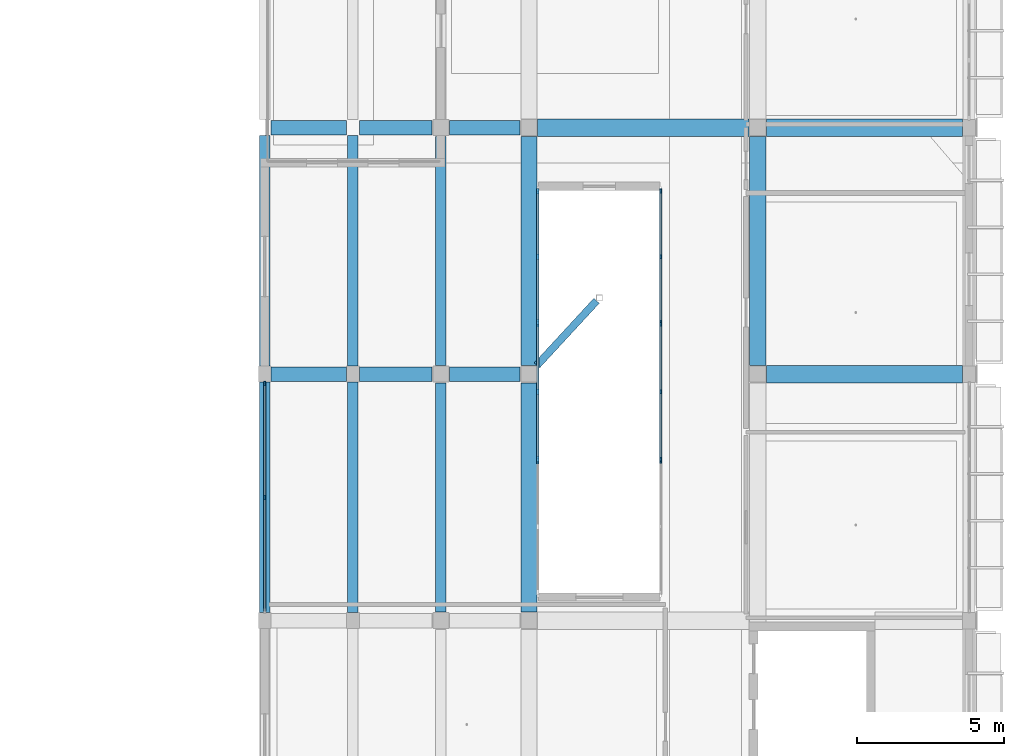
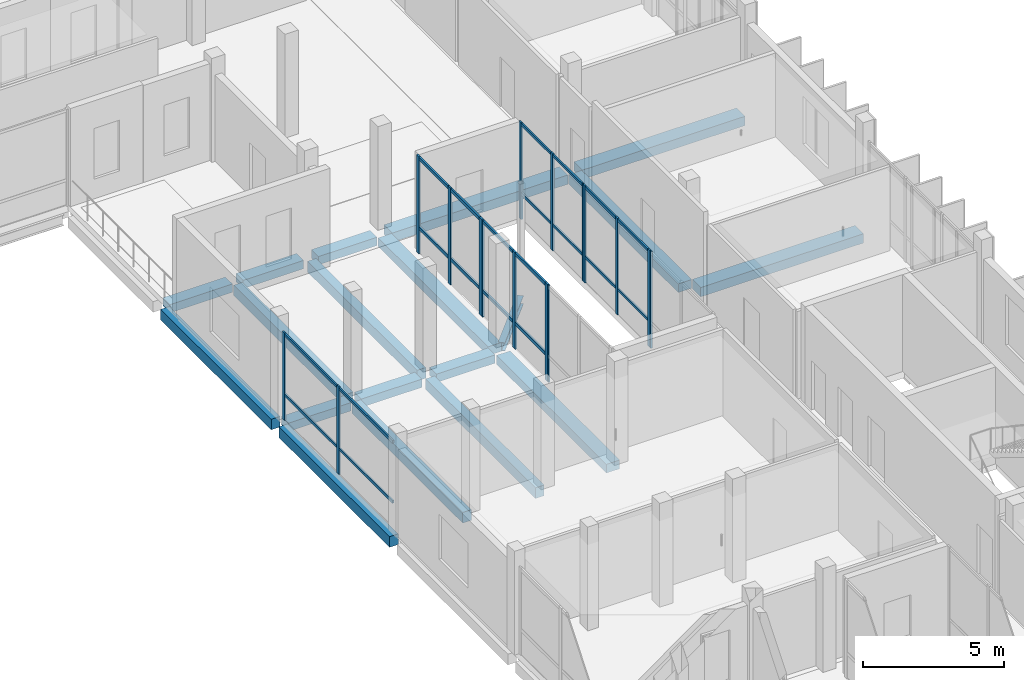
# One storey, part 38 of 95: 26 members, 19 beams, 7 elements without a shape of their own.
"""IFC4 building model written with IfcOpenShell, lengths in metres."""

from ifc_helpers import new_model, si_unit, derived_unit, direction, frame, origin, origin_2d, place, context, subcontext, project, spatial, rectangle, i_section, extrude, material, material_profile, profile_set, type_object, element, aggregate, save


model = new_model("IFC4")

# Units and contexts
model_context = context("Model", 3, precision=1e-05, world=origin(), true_north=direction((0.0, 1.0)))
body_context = subcontext(model_context, "Body", "Model", "MODEL_VIEW")
ifc_project = project(units=[si_unit("LENGTHUNIT", "METRE"), si_unit("AREAUNIT", "SQUARE_METRE"), si_unit("VOLUMEUNIT", "CUBIC_METRE"), si_unit("PLANEANGLEUNIT", "RADIAN"), si_unit("MASSUNIT", "GRAM", prefix="KILO"), derived_unit("THERMALTRANSMITTANCEUNIT", [(si_unit("POWERUNIT", "WATT"), 1), (si_unit("LENGTHUNIT", "METRE"), -2), (si_unit("THERMODYNAMICTEMPERATUREUNIT", "KELVIN"), -1)])], contexts=[model_context])

# Site, building, storey
site_placement = place(None, origin())
site = spatial("IfcSite", under=ifc_project, at=site_placement, CompositionType="ELEMENT")
building_placement = place(site_placement, origin())
building = spatial("IfcBuilding", under=site, at=building_placement, Name="Braskholm Square Health Centre", CompositionType="ELEMENT")
storey_placement = place(building_placement, frame((0.0, 0.0, 4.800048828125)))
storey = spatial("IfcBuildingStorey", under=building, at=storey_placement, Name="L02", CompositionType="ELEMENT", Elevation=4.800048828125)

# Curtain wall, members
ifc_material_1 = material(Name="Low-E triple insulating glass (VLT 0.64)", Category="glass")
curtain_wall_type_1 = type_object("IfcCurtainWallType", Name="UnitisedCurtainWall6200x3800", PredefinedType="NOTDEFINED", material=ifc_material_1)
curtain_wall_1_placement = place(storey_placement, origin())
curtain_wall_1 = element("IfcCurtainWall", 1, at=curtain_wall_1_placement, inside=storey, type_object=curtain_wall_type_1, Name="East Valley unitised curtain wall CW-L02-0120", PredefinedType="NOTDEFINED")
ifc_material_2 = material(Name="Architectural bronze anodised aluminium", Category="aluminium")
ifc_material_profile_1 = material_profile(ifc_material_2, rectangle(XDim=0.06494140625, YDim=0.14990234375, at=origin_2d()), Name="ALU-65X150")
ifc_profile_set_1 = profile_set([ifc_material_profile_1], Name="Architectural bronze anodised aluminium")
member_type_1 = type_object("IfcMemberType", Name="CurtainWallMullion65x150", PredefinedType="MULLION", material=ifc_profile_set_1)
member_1_placement = place(storey_placement, frame((139.800048828125, 71.873046875, 0.0), z_axis=(0.0, 0.0, 1.0), x_axis=(1.0, 0.0, 0.0)))
member_1 = element("IfcMember", 2, at=member_1_placement, type_object=member_type_1, Name="CW-L02-0120 vertical mullion 1", PredefinedType="MULLION", context=body_context, shape_type="SweptSolid", body=[
    extrude(rectangle(XDim=0.06494140625, YDim=0.14990234375, at=origin_2d()), origin(), (0.0, 0.0, 1.0), 3.7900390625),
])
member_2_placement = place(storey_placement, frame((139.800048828125, 68.0, 0.0), z_axis=(0.0, 0.0, 1.0), x_axis=(1.0, 0.0, 0.0)))
member_2 = element("IfcMember", 3, at=member_2_placement, type_object=member_type_1, Name="CW-L02-0120 vertical mullion 2", PredefinedType="MULLION", context=body_context, shape_type="SweptSolid", body=[
    extrude(rectangle(XDim=0.06494140625, YDim=0.14990234375, at=origin_2d()), origin(), (0.0, 0.0, 1.0), 3.7900390625),
])

# Curtain wall, member
curtain_wall_type_2 = type_object("IfcCurtainWallType", Name="UnitisedCurtainWall4800x4100", PredefinedType="NOTDEFINED", material=ifc_material_1)
curtain_wall_2_placement = place(storey_placement, origin())
curtain_wall_2 = element("IfcCurtainWall", 4, at=curtain_wall_2_placement, inside=storey, type_object=curtain_wall_type_2, Name="EC2 Court E unitised curtain wall CW-L02-0358", PredefinedType="NOTDEFINED")
member_3_placement = place(storey_placement, frame((153.300048828125, 69.23486328125, 0.0), z_axis=(0.0, 0.0, 1.0), x_axis=(1.0, 0.0, 0.0)))
member_3 = element("IfcMember", 5, at=member_3_placement, type_object=member_type_1, Name="CW-L02-0358 vertical mullion 1", PredefinedType="MULLION", context=body_context, shape_type="SweptSolid", body=[
    extrude(rectangle(XDim=0.06494140625, YDim=0.14990234375, at=origin_2d()), origin(), (0.0, 0.0, 1.0), 4.199951171875),
])
aggregate(curtain_wall_2, [member_3])

# Curtain wall, members
curtain_wall_3_placement = place(storey_placement, origin())
curtain_wall_3 = element("IfcCurtainWall", 6, at=curtain_wall_3_placement, inside=storey, type_object=curtain_wall_type_2, Name="EC2 Court E unitised curtain wall CW-L02-0360", PredefinedType="NOTDEFINED")
member_4_placement = place(storey_placement, frame((153.300048828125, 73.900146484375, 0.0), z_axis=(0.0, 0.0, 1.0), x_axis=(1.0, 0.0, 0.0)))
member_4 = element("IfcMember", 7, at=member_4_placement, type_object=member_type_1, Name="CW-L02-0360 vertical mullion 1", PredefinedType="MULLION", context=body_context, shape_type="SweptSolid", body=[
    extrude(rectangle(XDim=0.06494140625, YDim=0.14990234375, at=origin_2d()), origin(), (0.0, 0.0, 1.0), 4.199951171875),
])
member_5_placement = place(storey_placement, frame((153.300048828125, 71.60009765625, 0.0), z_axis=(0.0, 0.0, 1.0), x_axis=(1.0, 0.0, 0.0)))
member_5 = element("IfcMember", 8, at=member_5_placement, type_object=member_type_1, Name="CW-L02-0360 vertical mullion 2", PredefinedType="MULLION", context=body_context, shape_type="SweptSolid", body=[
    extrude(rectangle(XDim=0.06494140625, YDim=0.14990234375, at=origin_2d()), origin(), (0.0, 0.0, 1.0), 4.199951171875),
])
member_6_placement = place(storey_placement, frame((153.300048828125, 69.2998046875, 0.0), z_axis=(0.0, 0.0, 1.0), x_axis=(1.0, 0.0, 0.0)))
member_6 = element("IfcMember", 9, at=member_6_placement, type_object=member_type_1, Name="CW-L02-0360 vertical mullion 3", PredefinedType="MULLION", context=body_context, shape_type="SweptSolid", body=[
    extrude(rectangle(XDim=0.06494140625, YDim=0.14990234375, at=origin_2d()), origin(), (0.0, 0.0, 1.0), 4.199951171875),
])

curtain_wall_4_placement = place(storey_placement, origin())
curtain_wall_4 = element("IfcCurtainWall", 10, at=curtain_wall_4_placement, inside=storey, type_object=curtain_wall_type_2, Name="EC2 Court E unitised curtain wall CW-L02-0362", PredefinedType="NOTDEFINED")
member_7_placement = place(storey_placement, frame((153.300048828125, 78.432861328125, 0.0), z_axis=(0.0, 0.0, 1.0), x_axis=(1.0, 0.0, 0.0)))
member_7 = element("IfcMember", 11, at=member_7_placement, type_object=member_type_1, Name="CW-L02-0362 vertical mullion 1", PredefinedType="MULLION", context=body_context, shape_type="SweptSolid", body=[
    extrude(rectangle(XDim=0.06494140625, YDim=0.14990234375, at=origin_2d()), origin(), (0.0, 0.0, 1.0), 4.199951171875),
])
member_8_placement = place(storey_placement, frame((153.300048828125, 76.198974609375, 0.0), z_axis=(0.0, 0.0, 1.0), x_axis=(1.0, 0.0, 0.0)))
member_8 = element("IfcMember", 12, at=member_8_placement, type_object=member_type_1, Name="CW-L02-0362 vertical mullion 2", PredefinedType="MULLION", context=body_context, shape_type="SweptSolid", body=[
    extrude(rectangle(XDim=0.06494140625, YDim=0.14990234375, at=origin_2d()), origin(), (0.0, 0.0, 1.0), 4.199951171875),
])
member_9_placement = place(storey_placement, frame((153.300048828125, 73.965087890625, 0.0), z_axis=(0.0, 0.0, 1.0), x_axis=(1.0, 0.0, 0.0)))
member_9 = element("IfcMember", 13, at=member_9_placement, type_object=member_type_1, Name="CW-L02-0362 vertical mullion 3", PredefinedType="MULLION", context=body_context, shape_type="SweptSolid", body=[
    extrude(rectangle(XDim=0.06494140625, YDim=0.14990234375, at=origin_2d()), origin(), (0.0, 0.0, 1.0), 4.199951171875),
])

# Curtain wall, member
curtain_wall_5_placement = place(storey_placement, origin())
curtain_wall_5 = element("IfcCurtainWall", 14, at=curtain_wall_5_placement, inside=storey, type_object=curtain_wall_type_2, Name="EC2 Court W unitised curtain wall CW-L02-0357", PredefinedType="NOTDEFINED")
ifc_material_profile_2 = material_profile(ifc_material_2, rectangle(XDim=0.074951171875, YDim=0.179931640625, at=origin_2d()), Name="ALU-75X180")
ifc_profile_set_2 = profile_set([ifc_material_profile_2], Name="Architectural bronze anodised aluminium")
member_type_2 = type_object("IfcMemberType", Name="CurtainWallMullion75x180", PredefinedType="MULLION", material=ifc_profile_set_2)
member_10_placement = place(storey_placement, frame((149.10009765625, 69.23486328125, 0.0), z_axis=(0.0, 0.0, 1.0), x_axis=(1.0, 0.0, 0.0)))
member_10 = element("IfcMember", 15, at=member_10_placement, type_object=member_type_2, Name="CW-L02-0357 vertical mullion 3", PredefinedType="MULLION", context=body_context, shape_type="SweptSolid", body=[
    extrude(rectangle(XDim=0.074951171875, YDim=0.179931640625, at=origin_2d()), origin(), (0.0, 0.0, 1.0), 4.199951171875),
])
aggregate(curtain_wall_5, [member_10])

# Curtain wall, members
curtain_wall_6_placement = place(storey_placement, origin())
curtain_wall_6 = element("IfcCurtainWall", 16, at=curtain_wall_6_placement, inside=storey, type_object=curtain_wall_type_2, Name="EC2 Court W unitised curtain wall CW-L02-0359", PredefinedType="NOTDEFINED")
member_11_placement = place(storey_placement, frame((149.10009765625, 69.2998046875, 0.0), z_axis=(0.0, 0.0, 1.0), x_axis=(1.0, 0.0, 0.0)))
member_11 = element("IfcMember", 17, at=member_11_placement, type_object=member_type_2, Name="CW-L02-0359 vertical mullion 1", PredefinedType="MULLION", context=body_context, shape_type="SweptSolid", body=[
    extrude(rectangle(XDim=0.074951171875, YDim=0.179931640625, at=origin_2d()), origin(), (0.0, 0.0, 1.0), 4.199951171875),
])
member_12_placement = place(storey_placement, frame((149.10009765625, 71.60009765625, 0.0), z_axis=(0.0, 0.0, 1.0), x_axis=(1.0, 0.0, 0.0)))
member_12 = element("IfcMember", 18, at=member_12_placement, type_object=member_type_2, Name="CW-L02-0359 vertical mullion 2", PredefinedType="MULLION", context=body_context, shape_type="SweptSolid", body=[
    extrude(rectangle(XDim=0.074951171875, YDim=0.179931640625, at=origin_2d()), origin(), (0.0, 0.0, 1.0), 4.199951171875),
])
member_13_placement = place(storey_placement, frame((149.10009765625, 73.900146484375, 0.0), z_axis=(0.0, 0.0, 1.0), x_axis=(1.0, 0.0, 0.0)))
member_13 = element("IfcMember", 19, at=member_13_placement, type_object=member_type_2, Name="CW-L02-0359 vertical mullion 3", PredefinedType="MULLION", context=body_context, shape_type="SweptSolid", body=[
    extrude(rectangle(XDim=0.074951171875, YDim=0.179931640625, at=origin_2d()), origin(), (0.0, 0.0, 1.0), 4.199951171875),
])

curtain_wall_7_placement = place(storey_placement, origin())
curtain_wall_7 = element("IfcCurtainWall", 20, at=curtain_wall_7_placement, inside=storey, type_object=curtain_wall_type_2, Name="EC2 Court W unitised curtain wall CW-L02-0361", PredefinedType="NOTDEFINED")
member_14_placement = place(storey_placement, frame((149.10009765625, 73.965087890625, 0.0), z_axis=(0.0, 0.0, 1.0), x_axis=(1.0, 0.0, 0.0)))
member_14 = element("IfcMember", 21, at=member_14_placement, type_object=member_type_2, Name="CW-L02-0361 vertical mullion 1", PredefinedType="MULLION", context=body_context, shape_type="SweptSolid", body=[
    extrude(rectangle(XDim=0.074951171875, YDim=0.179931640625, at=origin_2d()), origin(), (0.0, 0.0, 1.0), 4.199951171875),
])
member_15_placement = place(storey_placement, frame((149.10009765625, 76.198974609375, 0.0), z_axis=(0.0, 0.0, 1.0), x_axis=(1.0, 0.0, 0.0)))
member_15 = element("IfcMember", 22, at=member_15_placement, type_object=member_type_2, Name="CW-L02-0361 vertical mullion 2", PredefinedType="MULLION", context=body_context, shape_type="SweptSolid", body=[
    extrude(rectangle(XDim=0.074951171875, YDim=0.179931640625, at=origin_2d()), origin(), (0.0, 0.0, 1.0), 4.199951171875),
])
member_16_placement = place(storey_placement, frame((149.10009765625, 78.432861328125, 0.0), z_axis=(0.0, 0.0, 1.0), x_axis=(1.0, 0.0, 0.0)))
member_16 = element("IfcMember", 23, at=member_16_placement, type_object=member_type_2, Name="CW-L02-0361 vertical mullion 3", PredefinedType="MULLION", context=body_context, shape_type="SweptSolid", body=[
    extrude(rectangle(XDim=0.074951171875, YDim=0.179931640625, at=origin_2d()), origin(), (0.0, 0.0, 1.0), 4.199951171875),
])

# Member
ifc_material_profile_3 = material_profile(ifc_material_2, rectangle(XDim=0.06494140625, YDim=0.1201171875, at=origin_2d()), Name="ALU-65X120")
ifc_profile_set_3 = profile_set([ifc_material_profile_3], Name="Architectural bronze anodised aluminium")
member_type_3 = type_object("IfcMemberType", Name="CurtainWallTransom65x120", PredefinedType="USERDEFINED", material=ifc_profile_set_3)
member_17_placement = place(storey_placement, frame((139.800048828125, 71.875, 1.119873046875), z_axis=(0.0, -1.0, 0.0), x_axis=(1.0, 0.0, 0.0)))
member_17 = element("IfcMember", 24, at=member_17_placement, type_object=member_type_3, Name="CW-L02-0120 horizontal transom 1", ObjectType="TRANSOM", PredefinedType="USERDEFINED", context=body_context, shape_type="SweptSolid", body=[
    extrude(rectangle(XDim=0.06494140625, YDim=0.1201171875, at=origin_2d()), origin(), (0.0, 0.0, 1.0), 7.75),
])

member_18_placement = place(storey_placement, frame((139.800048828125, 71.875, 3.719970703125), z_axis=(0.0, -1.0, 0.0), x_axis=(1.0, 0.0, 0.0)))
member_18 = element("IfcMember", 25, at=member_18_placement, type_object=member_type_3, Name="CW-L02-0120 horizontal transom 2", ObjectType="TRANSOM", PredefinedType="USERDEFINED", context=body_context, shape_type="SweptSolid", body=[
    extrude(rectangle(XDim=0.06494140625, YDim=0.1201171875, at=origin_2d()), origin(), (0.0, 0.0, 1.0), 7.75),
])

aggregate(curtain_wall_1, [member_1, member_2, member_17, member_18])

member_19_placement = place(storey_placement, frame((153.300048828125, 73.883056640625, 1.119873046875), z_axis=(0.0, -1.0, 0.0), x_axis=(1.0, 0.0, 0.0)))
member_19 = element("IfcMember", 26, at=member_19_placement, type_object=member_type_3, Name="CW-L02-0360 horizontal transom 1", ObjectType="TRANSOM", PredefinedType="USERDEFINED", context=body_context, shape_type="SweptSolid", body=[
    extrude(rectangle(XDim=0.06494140625, YDim=0.1201171875, at=origin_2d()), origin(), (0.0, 0.0, 1.0), 4.566162109375),
])

member_20_placement = place(storey_placement, frame((153.300048828125, 73.883056640625, 4.1298828125), z_axis=(0.0, -1.0, 0.0), x_axis=(1.0, 0.0, 0.0)))
member_20 = element("IfcMember", 27, at=member_20_placement, type_object=member_type_3, Name="CW-L02-0360 horizontal transom 2", ObjectType="TRANSOM", PredefinedType="USERDEFINED", context=body_context, shape_type="SweptSolid", body=[
    extrude(rectangle(XDim=0.06494140625, YDim=0.1201171875, at=origin_2d()), origin(), (0.0, 0.0, 1.0), 4.566162109375),
])

aggregate(curtain_wall_3, [member_4, member_5, member_6, member_19, member_20])

member_21_placement = place(storey_placement, frame((153.300048828125, 78.4150390625, 1.119873046875), z_axis=(0.0, -1.0, 0.0), x_axis=(1.0, 0.0, 0.0)))
member_21 = element("IfcMember", 28, at=member_21_placement, type_object=member_type_3, Name="CW-L02-0362 horizontal transom 1", ObjectType="TRANSOM", PredefinedType="USERDEFINED", context=body_context, shape_type="SweptSolid", body=[
    extrude(rectangle(XDim=0.06494140625, YDim=0.1201171875, at=origin_2d()), origin(), (0.0, 0.0, 1.0), 4.43212890625),
])

member_22_placement = place(storey_placement, frame((153.300048828125, 78.4150390625, 4.1298828125), z_axis=(0.0, -1.0, 0.0), x_axis=(1.0, 0.0, 0.0)))
member_22 = element("IfcMember", 29, at=member_22_placement, type_object=member_type_3, Name="CW-L02-0362 horizontal transom 2", ObjectType="TRANSOM", PredefinedType="USERDEFINED", context=body_context, shape_type="SweptSolid", body=[
    extrude(rectangle(XDim=0.06494140625, YDim=0.1201171875, at=origin_2d()), origin(), (0.0, 0.0, 1.0), 4.43212890625),
])

aggregate(curtain_wall_4, [member_7, member_8, member_9, member_21, member_22])

ifc_material_profile_4 = material_profile(ifc_material_2, rectangle(XDim=0.074951171875, YDim=0.139892578125, at=origin_2d()), Name="ALU-75X140")
ifc_profile_set_4 = profile_set([ifc_material_profile_4], Name="Architectural bronze anodised aluminium")
member_type_4 = type_object("IfcMemberType", Name="CurtainWallTransom75x140", PredefinedType="USERDEFINED", material=ifc_profile_set_4)
member_23_placement = place(storey_placement, frame((149.10009765625, 69.31689453125, 1.119873046875), z_axis=(0.0, 1.0, 0.0), x_axis=(-1.0, 0.0, 0.0)))
member_23 = element("IfcMember", 30, at=member_23_placement, type_object=member_type_4, Name="CW-L02-0359 horizontal transom 1", ObjectType="TRANSOM", PredefinedType="USERDEFINED", context=body_context, shape_type="SweptSolid", body=[
    extrude(rectangle(XDim=0.074951171875, YDim=0.139892578125, at=origin_2d()), origin(), (0.0, 0.0, 1.0), 4.566162109375),
])

member_24_placement = place(storey_placement, frame((149.10009765625, 69.31689453125, 4.1298828125), z_axis=(0.0, 1.0, 0.0), x_axis=(-1.0, 0.0, 0.0)))
member_24 = element("IfcMember", 31, at=member_24_placement, type_object=member_type_4, Name="CW-L02-0359 horizontal transom 2", ObjectType="TRANSOM", PredefinedType="USERDEFINED", context=body_context, shape_type="SweptSolid", body=[
    extrude(rectangle(XDim=0.074951171875, YDim=0.139892578125, at=origin_2d()), origin(), (0.0, 0.0, 1.0), 4.566162109375),
])

aggregate(curtain_wall_6, [member_11, member_12, member_13, member_23, member_24])

member_25_placement = place(storey_placement, frame((149.10009765625, 73.98291015625, 1.119873046875), z_axis=(0.0, 1.0, 0.0), x_axis=(-1.0, 0.0, 0.0)))
member_25 = element("IfcMember", 32, at=member_25_placement, type_object=member_type_4, Name="CW-L02-0361 horizontal transom 1", ObjectType="TRANSOM", PredefinedType="USERDEFINED", context=body_context, shape_type="SweptSolid", body=[
    extrude(rectangle(XDim=0.074951171875, YDim=0.139892578125, at=origin_2d()), origin(), (0.0, 0.0, 1.0), 4.43212890625),
])

member_26_placement = place(storey_placement, frame((149.10009765625, 73.98291015625, 4.1298828125), z_axis=(0.0, 1.0, 0.0), x_axis=(-1.0, 0.0, 0.0)))
member_26 = element("IfcMember", 33, at=member_26_placement, type_object=member_type_4, Name="CW-L02-0361 horizontal transom 2", ObjectType="TRANSOM", PredefinedType="USERDEFINED", context=body_context, shape_type="SweptSolid", body=[
    extrude(rectangle(XDim=0.074951171875, YDim=0.139892578125, at=origin_2d()), origin(), (0.0, 0.0, 1.0), 4.43212890625),
])

aggregate(curtain_wall_7, [member_14, member_15, member_16, member_25, member_26])

# Beams
ifc_material_3 = material(Name="Concrete C35/45 (f'c = 35 MPa)", Category="concrete")
ifc_material_profile_5 = material_profile(ifc_material_3, rectangle(XDim=0.5, YDim=0.360107421875, at=origin_2d()), Name="RCB-500X360")
ifc_profile_set_5 = profile_set([ifc_material_profile_5], Name="Concrete C35/45 (f'c = 35 MPa)")
beam_type_1 = type_object("IfcBeamType", Name="PrimaryBandBeam500x360", PredefinedType="BEAM", material=ifc_profile_set_5)
beam_1_placement = place(storey_placement, frame((140.02001953125, 72.199951171875, -0.47998046875), z_axis=(1.0, 0.0, 0.0), x_axis=(0.0, 1.0, 0.0)))
element("IfcBeam", 34, at=beam_1_placement, inside=storey, type_object=beam_type_1, Name="Beam 17-18/L L02", PredefinedType="BEAM", context=body_context, shape_type="SweptSolid", body=[
    extrude(rectangle(XDim=0.5, YDim=0.360107421875, at=origin_2d()), origin(), (0.0, 0.0, 1.0), 2.56005859375),
])
beam_2_placement = place(storey_placement, frame((143.02001953125, 72.199951171875, -0.47998046875), z_axis=(1.0, 0.0, 0.0), x_axis=(0.0, 1.0, 0.0)))
element("IfcBeam", 35, at=beam_2_placement, inside=storey, type_object=beam_type_1, Name="Beam 18-19/L L02", PredefinedType="BEAM", context=body_context, shape_type="SweptSolid", body=[
    extrude(rectangle(XDim=0.5, YDim=0.360107421875, at=origin_2d()), origin(), (0.0, 0.0, 1.0), 2.47998046875),
])
beam_3_placement = place(storey_placement, frame((146.10009765625, 72.199951171875, -0.47998046875), z_axis=(1.0, 0.0, 0.0), x_axis=(0.0, 1.0, 0.0)))
element("IfcBeam", 36, at=beam_3_placement, inside=storey, type_object=beam_type_1, Name="Beam 19-20/L L02", PredefinedType="BEAM", context=body_context, shape_type="SweptSolid", body=[
    extrude(rectangle(XDim=0.5, YDim=0.360107421875, at=origin_2d()), origin(), (0.0, 0.0, 1.0), 2.39990234375),
])
beam_4_placement = place(storey_placement, frame((140.02001953125, 80.60009765625, -0.429931640625), z_axis=(1.0, 0.0, 0.0), x_axis=(0.0, 1.0, 0.0)))
element("IfcBeam", 37, at=beam_4_placement, inside=storey, type_object=beam_type_1, Name="Beam 17-18/M L02", PredefinedType="BEAM", context=body_context, shape_type="SweptSolid", body=[
    extrude(rectangle(XDim=0.5, YDim=0.360107421875, at=origin_2d()), origin(), (0.0, 0.0, 1.0), 2.56005859375),
])
beam_5_placement = place(storey_placement, frame((143.02001953125, 80.60009765625, -0.429931640625), z_axis=(1.0, 0.0, 0.0), x_axis=(0.0, 1.0, 0.0)))
element("IfcBeam", 38, at=beam_5_placement, inside=storey, type_object=beam_type_1, Name="Beam 18-19/M L02", PredefinedType="BEAM", context=body_context, shape_type="SweptSolid", body=[
    extrude(rectangle(XDim=0.5, YDim=0.360107421875, at=origin_2d()), origin(), (0.0, 0.0, 1.0), 2.47998046875),
])
beam_6_placement = place(storey_placement, frame((146.10009765625, 80.60009765625, -0.47998046875), z_axis=(1.0, 0.0, 0.0), x_axis=(0.0, 1.0, 0.0)))
element("IfcBeam", 39, at=beam_6_placement, inside=storey, type_object=beam_type_1, Name="Beam 19-20/M L02", PredefinedType="BEAM", context=body_context, shape_type="SweptSolid", body=[
    extrude(rectangle(XDim=0.5, YDim=0.360107421875, at=origin_2d()), origin(), (0.0, 0.0, 1.0), 2.39990234375),
])
ifc_material_profile_6 = material_profile(ifc_material_3, rectangle(XDim=0.550048828125, YDim=0.3798828125, at=origin_2d()), Name="RCB-550X380")
ifc_profile_set_6 = profile_set([ifc_material_profile_6], Name="Concrete C35/45 (f'c = 35 MPa)")
beam_type_2 = type_object("IfcBeamType", Name="PrimaryBandBeam550x380", PredefinedType="BEAM", material=ifc_profile_set_6)
beam_7_placement = place(storey_placement, frame((148.800048828125, 64.10009765625, -0.489990234375), z_axis=(0.0, 1.0, 0.0), x_axis=(-1.0, 0.0, 0.0)))
element("IfcBeam", 40, at=beam_7_placement, inside=storey, type_object=beam_type_2, Name="Beam 20/K-L L02", PredefinedType="BEAM", context=body_context, shape_type="SweptSolid", body=[
    extrude(rectangle(XDim=0.550048828125, YDim=0.3798828125, at=origin_2d()), origin(), (0.0, 0.0, 1.0), 7.7998046875),
])
for number, where, z_axis, x_axis, name in (
    (41, (148.800048828125, 72.5, -0.489990234375), (0.0, 1.0, 0.0), (-1.0, 0.0, 0.0), "Beam 20/L-M L02"),
    (42, (156.60009765625, 72.5, -0.489990234375), (0.0, 1.0, 0.0), (-1.0, 0.0, 0.0), "Beam 21/L-M L02"),
):
    element("IfcBeam", number, at=place(storey_placement, frame(where, z_axis=z_axis, x_axis=x_axis)), inside=storey, type_object=beam_type_2, Name=name, PredefinedType="BEAM", context=body_context, shape_type="SweptSolid", body=[
        extrude(rectangle(XDim=0.550048828125, YDim=0.3798828125, at=origin_2d()), origin(), (0.0, 0.0, 1.0), 7.800048828125),
    ])
ifc_material_profile_7 = material_profile(ifc_material_3, rectangle(XDim=0.60009765625, YDim=0.39990234375, at=origin_2d()), Name="RCB-600X400")
ifc_profile_set_7 = profile_set([ifc_material_profile_7], Name="Concrete C35/45 (f'c = 35 MPa)")
beam_type_3 = type_object("IfcBeamType", Name="PrimaryBandBeam600x400", PredefinedType="BEAM", material=ifc_profile_set_7)
beam_8_placement = place(storey_placement, frame((156.89990234375, 72.199951171875, -0.5), z_axis=(1.0, 0.0, 0.0), x_axis=(0.0, 1.0, 0.0)))
element("IfcBeam", 43, at=beam_8_placement, inside=storey, type_object=beam_type_3, Name="Beam 21-22/L L02", PredefinedType="BEAM", context=body_context, shape_type="SweptSolid", body=[
    extrude(rectangle(XDim=0.60009765625, YDim=0.39990234375, at=origin_2d()), origin(), (0.0, 0.0, 1.0), 6.670166015625),
])
beam_9_placement = place(storey_placement, frame((149.10009765625, 80.60009765625, -0.5), z_axis=(1.0, 0.0, 0.0), x_axis=(0.0, 1.0, 0.0)))
element("IfcBeam", 44, at=beam_9_placement, inside=storey, type_object=beam_type_3, Name="Beam 20-21/M L02", PredefinedType="BEAM", context=body_context, shape_type="SweptSolid", body=[
    extrude(rectangle(XDim=0.60009765625, YDim=0.39990234375, at=origin_2d()), origin(), (0.0, 0.0, 1.0), 7.199951171875),
])
beam_10_placement = place(storey_placement, frame((156.89990234375, 80.60009765625, -0.5), z_axis=(1.0, 0.0, 0.0), x_axis=(0.0, 1.0, 0.0)))
element("IfcBeam", 45, at=beam_10_placement, inside=storey, type_object=beam_type_3, Name="Beam 21-22/M L02", PredefinedType="BEAM", context=body_context, shape_type="SweptSolid", body=[
    extrude(rectangle(XDim=0.60009765625, YDim=0.39990234375, at=origin_2d()), origin(), (0.0, 0.0, 1.0), 6.670166015625),
])
ifc_material_4 = material(Name="Precast concrete C40/50 architectural white", Category="concrete")
ifc_material_profile_8 = material_profile(ifc_material_4, rectangle(XDim=0.360107421875, YDim=0.4599609375, at=origin_2d()), Name="RCB-360X460")
ifc_profile_set_8 = profile_set([ifc_material_profile_8], Name="Precast concrete C40/50 architectural white")
beam_type_4 = type_object("IfcBeamType", Name="SpandrelTerraceEdge360x460", PredefinedType="SPANDREL", material=ifc_profile_set_8)
beam_11_placement = place(storey_placement, frame((139.800048828125, 64.070068359375, -0.530029296875), z_axis=(0.0, 1.0, 0.0), x_axis=(-1.0, 0.0, 0.0)))
element("IfcBeam", 46, at=beam_11_placement, inside=storey, type_object=beam_type_4, Name="Beam 17/K-L L02", PredefinedType="SPANDREL", context=body_context, shape_type="SweptSolid", body=[
    extrude(rectangle(XDim=0.360107421875, YDim=0.4599609375, at=origin_2d()), origin(), (0.0, 0.0, 1.0), 7.85986328125),
])
beam_12_placement = place(storey_placement, frame((139.800048828125, 72.469970703125, -0.530029296875), z_axis=(0.0, 1.0, 0.0), x_axis=(-1.0, 0.0, 0.0)))
element("IfcBeam", 47, at=beam_12_placement, inside=storey, type_object=beam_type_4, Name="Beam 17/L-M L02", PredefinedType="SPANDREL", context=body_context, shape_type="SweptSolid", body=[
    extrude(rectangle(XDim=0.360107421875, YDim=0.4599609375, at=origin_2d()), origin(), (0.0, 0.0, 1.0), 7.860107421875),
])
beam_13_placement = place(storey_placement, frame((142.800048828125, 64.070068359375, -0.530029296875), z_axis=(0.0, 1.0, 0.0), x_axis=(-1.0, 0.0, 0.0)))
element("IfcBeam", 48, at=beam_13_placement, inside=storey, type_object=beam_type_4, Name="Beam 18/K-L L02", PredefinedType="SPANDREL", context=body_context, shape_type="SweptSolid", body=[
    extrude(rectangle(XDim=0.360107421875, YDim=0.4599609375, at=origin_2d()), origin(), (0.0, 0.0, 1.0), 7.85986328125),
])
beam_14_placement = place(storey_placement, frame((142.800048828125, 72.469970703125, -0.530029296875), z_axis=(0.0, 1.0, 0.0), x_axis=(-1.0, 0.0, 0.0)))
element("IfcBeam", 49, at=beam_14_placement, inside=storey, type_object=beam_type_4, Name="Beam 18/L-M L02", PredefinedType="SPANDREL", context=body_context, shape_type="SweptSolid", body=[
    extrude(rectangle(XDim=0.360107421875, YDim=0.4599609375, at=origin_2d()), origin(), (0.0, 0.0, 1.0), 7.860107421875),
])
beam_15_placement = place(storey_placement, frame((145.800048828125, 64.10009765625, -0.530029296875), z_axis=(0.0, 1.0, 0.0), x_axis=(-1.0, 0.0, 0.0)))
element("IfcBeam", 50, at=beam_15_placement, inside=storey, type_object=beam_type_4, Name="Beam 19/K-L L02", PredefinedType="SPANDREL", context=body_context, shape_type="SweptSolid", body=[
    extrude(rectangle(XDim=0.360107421875, YDim=0.4599609375, at=origin_2d()), origin(), (0.0, 0.0, 1.0), 7.7998046875),
])
beam_16_placement = place(storey_placement, frame((145.800048828125, 72.5, -0.530029296875), z_axis=(0.0, 1.0, 0.0), x_axis=(-1.0, 0.0, 0.0)))
element("IfcBeam", 51, at=beam_16_placement, inside=storey, type_object=beam_type_4, Name="Beam 19/L-M L02", PredefinedType="SPANDREL", context=body_context, shape_type="SweptSolid", body=[
    extrude(rectangle(XDim=0.360107421875, YDim=0.4599609375, at=origin_2d()), origin(), (0.0, 0.0, 1.0), 7.800048828125),
])
ifc_material_5 = material(Name="Steel ASTM A992 Grade 50", Category="steel")
ifc_material_profile_9 = material_profile(ifc_material_5, i_section(OverallWidth=0.2548828125, OverallDepth=0.35693359375, WebThickness=0.010498046875, FlangeThickness=0.018310546875, at=origin_2d()), Name="W14X68")
ifc_profile_set_9 = profile_set([ifc_material_profile_9], Name="Steel ASTM A992 Grade 50")
beam_type_5 = type_object("IfcBeamType", Name="SteelBeamCanopyW14X68", PredefinedType="BEAM", material=ifc_profile_set_9)
beam_17_placement = place(storey_placement, frame((151.107666015625, 74.699951171875, -0.478515625), z_axis=(-0.678263179163, -0.734819066023, 0.0), x_axis=(0.734819066023, -0.678263179163, 0.0)))
element("IfcBeam", 52, at=beam_17_placement, inside=storey, type_object=beam_type_5, Name="Tie beam CS3F L02", PredefinedType="BEAM", context=body_context, shape_type="SweptSolid", body=[
    extrude(i_section(OverallWidth=0.2548828125, OverallDepth=0.35693359375, WebThickness=0.010498046875, FlangeThickness=0.018310546875, at=origin_2d()), origin(), (0.0, 0.0, 1.0), 2.995849609375),
])

save(model, "model.ifc")
